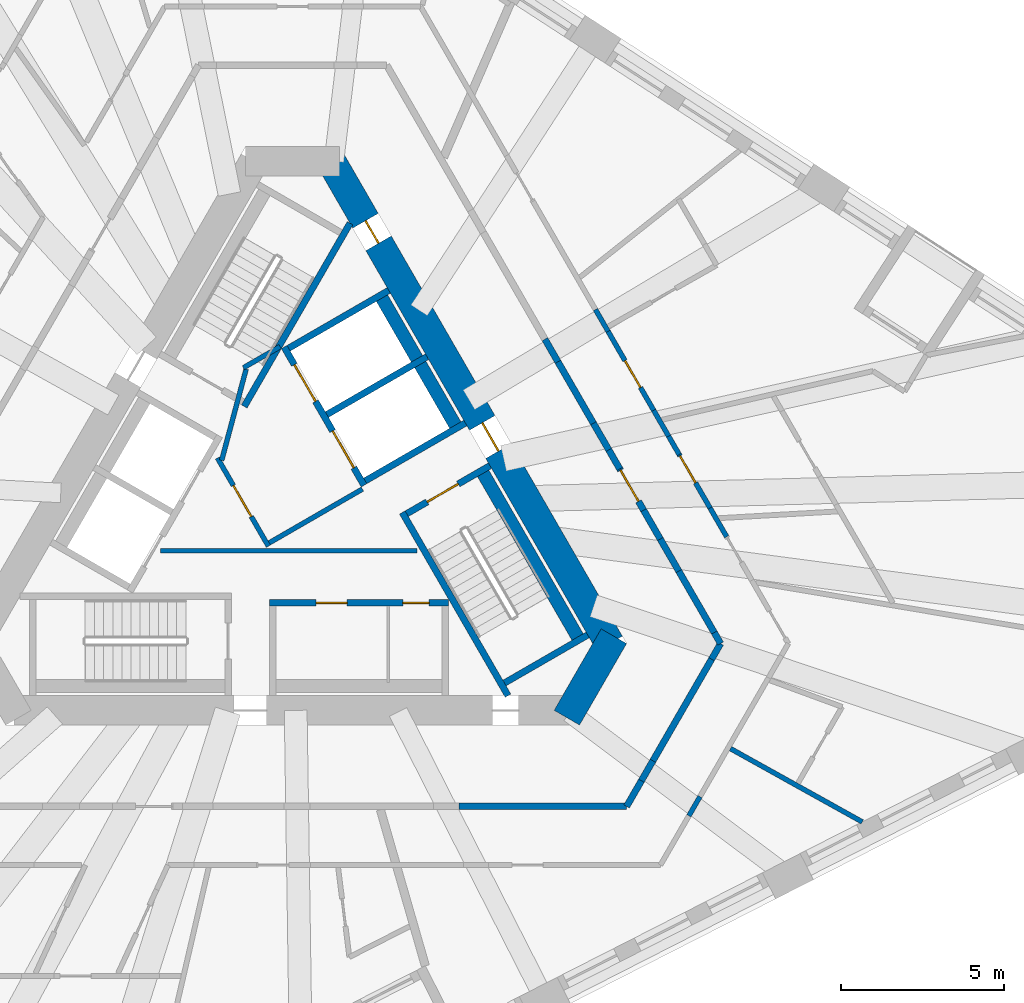
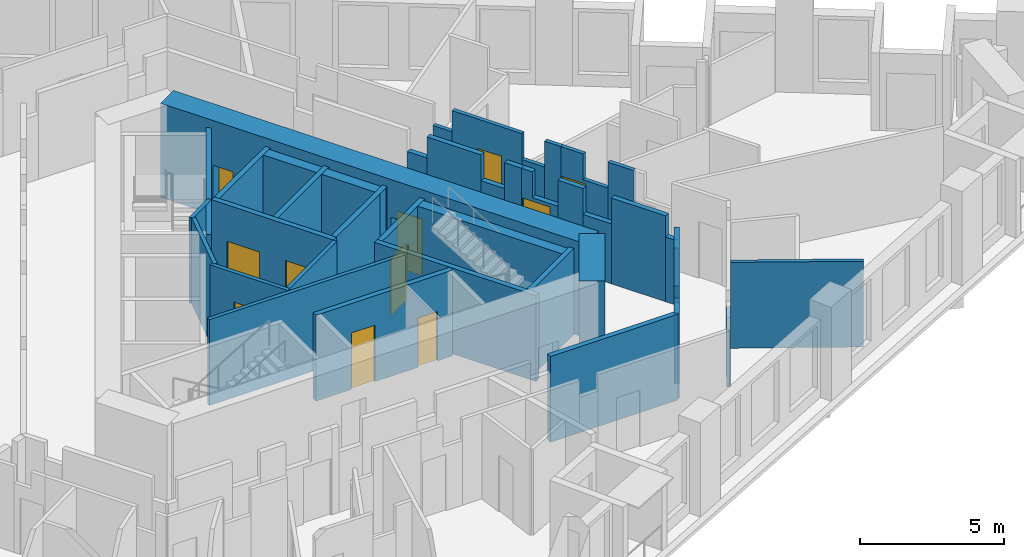
# One storey, part 5 of 13: 40 walls, 11 doors, 11 openings.
"""IFC4 building model written with IfcOpenShell, lengths in metres."""

from ifc_helpers import new_model, si_unit, direction, frame, frame_2d, origin, place, context, subcontext, project, spatial, polyline, rectangle, outline, extrude, material, layer, layer_set, type_object, element, fill, save


model = new_model("IFC4")

# Units and contexts
model_context = context("Model", 3, precision=1e-05, world=origin(), true_north=direction((0.0, 1.0)))
body_context = subcontext(model_context, "Body", "Model", "MODEL_VIEW")
ifc_project = project(units=[si_unit("LENGTHUNIT", "METRE"), si_unit("AREAUNIT", "SQUARE_METRE"), si_unit("VOLUMEUNIT", "CUBIC_METRE"), si_unit("PLANEANGLEUNIT", "RADIAN"), si_unit("MASSUNIT", "GRAM", prefix="KILO")], contexts=[model_context])

# Site, building, storey
site_placement = place(None, origin())
site = spatial("IfcSite", under=ifc_project, at=site_placement, CompositionType="ELEMENT")
building_placement = place(site_placement, origin())
building = spatial("IfcBuilding", under=site, at=building_placement, Name="Tramontana Tower", CompositionType="ELEMENT")
storey_placement = place(building_placement, frame((0.0, 0.0, 137.60009765625)))
storey = spatial("IfcBuildingStorey", under=building, at=storey_placement, Name="L31", CompositionType="ELEMENT", Elevation=137.60009765625)

# Wall
ifc_material_1 = material(Name="Concrete 70 MPa", Category="concrete")
ifc_layer_1 = layer(ifc_material_1, 0.89990234375)
ifc_layer_set_1 = layer_set([ifc_layer_1], Name="Core wall 900 70 MPa")
wall_type_1 = type_object("IfcWallType", Name="Core wall 900 70 MPa", PredefinedType="SHEAR", material=ifc_layer_set_1)
wall_1_placement = place(storey_placement, frame((8.414794921875, -6.52490234375, 0.0), z_axis=(0.0, 0.0, 1.0), x_axis=(0.500059191753, 0.865991226713, 0.0)))
element("IfcWall", 1, at=wall_1_placement, inside=storey, type_object=wall_type_1, Name="Core wall C4 L31", PredefinedType="SHEAR", context=body_context, shape_type="SweptSolid", body=[
    extrude(rectangle(XDim=2.886962890625, YDim=0.89990234375, at=frame_2d((1.443359375, 0.0))), origin(), (0.0, 0.0, 1.0), 4.0),
])

# Wall, openings, doors
wall_2_placement = place(storey_placement, frame((9.728515625, -4.25, 0.0), z_axis=(0.0, 0.0, 1.0), x_axis=(-0.500004814304, 0.866022624227, 0.0)))
wall_2 = element("IfcWall", 2, at=wall_2_placement, inside=storey, type_object=wall_type_1, Name="Core wall C5 L31", PredefinedType="SHEAR", context=body_context, shape_type="SweptSolid", body=[
    extrude(rectangle(XDim=17.089599609375, YDim=0.89990234375, at=frame_2d((8.544921875, 0.0))), origin(), (0.0, 0.0, 1.0), 4.0),
])
opening_1_placement = place(wall_2_placement, frame((6.81982421875, 0.0, 0.0)))
opening_1 = element("IfcOpeningElement", 3, at=opening_1_placement, cuts=wall_2, Name="Opening RG3", PredefinedType="OPENING", context=body_context, shape_type="SweptSolid", body=[
    extrude(rectangle(XDim=1.0, YDim=2.39990234375, at=frame_2d((0.5, 1.199951171875))), frame((0.0, 0.4599609375, 0.0), z_axis=(0.0, -1.0, 0.0), x_axis=(1.0, 0.0, 0.0)), (0.0, 0.0, 1.0), 0.919921875),
])
opening_2_placement = place(wall_2_placement, frame((14.183837890625, 0.0, 0.0)))
opening_2 = element("IfcOpeningElement", 4, at=opening_2_placement, cuts=wall_2, Name="Opening PD3", PredefinedType="OPENING", context=body_context, shape_type="SweptSolid", body=[
    extrude(rectangle(XDim=0.800048828125, YDim=2.10009765625, at=frame_2d((0.39990234375, 1.050048828125))), frame((0.0, 0.4599609375, 0.0), z_axis=(0.0, -1.0, 0.0), x_axis=(1.0, 0.0, 0.0)), (0.0, 0.0, 1.0), 0.919921875),
])
ifc_material_2 = material(Name="Painted steel", Category="steel")
door_type_1 = type_object("IfcDoorType", Name="CUPBOARD DOOR 800", OperationType="SINGLE_SWING_LEFT", PredefinedType="DOOR", material=ifc_material_2)
door_1_placement = place(opening_2_placement, origin())
door_1 = element("IfcDoor", 5, at=door_1_placement, inside=storey, type_object=door_type_1, Name="Door PD3", OperationType="SINGLE_SWING_RIGHT", OverallHeight=2.10009765625, OverallWidth=0.800048828125, PredefinedType="DOOR", context=body_context, shape_type="SweptSolid", body=[
    extrude(rectangle(XDim=0.800048828125, YDim=2.10009765625, at=frame_2d((0.39990234375, 1.050048828125))), frame((0.0, 0.02490234375, 0.0), z_axis=(0.0, -1.0, 0.0), x_axis=(1.0, 0.0, 0.0)), (0.0, 0.0, 1.0), 0.050048828125),
])
fill(opening_2, door_1)
ifc_material_3 = material(Name="Painted steel", Category="steel")
door_type_2 = type_object("IfcDoorType", Name="RING DOOR 1000", OperationType="SINGLE_SWING_LEFT", PredefinedType="DOOR", material=ifc_material_3)
door_2_placement = place(opening_1_placement, origin())
door_2 = element("IfcDoor", 6, at=door_2_placement, inside=storey, type_object=door_type_2, Name="Door RG3", OperationType="SINGLE_SWING_RIGHT", OverallHeight=2.39990234375, OverallWidth=1.0, PredefinedType="DOOR", context=body_context, shape_type="SweptSolid", body=[
    extrude(rectangle(XDim=1.0, YDim=2.39990234375, at=frame_2d((0.5, 1.199951171875))), frame((0.0, 0.02490234375, 0.0), z_axis=(0.0, -1.0, 0.0), x_axis=(1.0, 0.0, 0.0)), (0.0, 0.0, 1.0), 0.050048828125),
])
fill(opening_1, door_2)

# Walls
ifc_material_4 = material(Name="Blockwork", Category="masonry")
ifc_layer_2 = layer(ifc_material_4, 0.199951171875)
ifc_layer_set_2 = layer_set([ifc_layer_2], Name="ENTRY WALL 200")
wall_type_2 = type_object("IfcWallType", Name="ENTRY WALL 200", PredefinedType="SOLIDWALL", material=ifc_layer_set_2)
wall_3_placement = place(storey_placement, frame((7.7421875, 5.090087890625, 0.0), z_axis=(0.0, 0.0, 1.0), x_axis=(0.500109828528, -0.865961984968, 0.0)))
element("IfcWall", 7, at=wall_3_placement, inside=storey, type_object=wall_type_2, Name="Wall v31-ew0-3", PredefinedType="SOLIDWALL", context=body_context, shape_type="SweptSolid", body=[
    extrude(rectangle(XDim=0.800048828125, YDim=0.199951171875, at=frame_2d((0.39990234375, 0.0))), origin(), (0.0, 0.0, 1.0), 2.75),
])
wall_4_placement = place(storey_placement, frame((8.142333984375, 4.397216796875, 0.0), z_axis=(0.0, 0.0, 1.0), x_axis=(0.499948868167, -0.866054922749, 0.0)))
element("IfcWall", 8, at=wall_4_placement, inside=storey, type_object=wall_type_2, Name="Wall v31-ew0-4", PredefinedType="SOLIDWALL", context=body_context, shape_type="SweptSolid", body=[
    extrude(rectangle(XDim=2.177978515625, YDim=0.199951171875, at=frame_2d((1.0888671875, 0.0))), origin(), (0.0, 0.0, 1.0), 3.64990234375),
])
wall_5_placement = place(storey_placement, frame((9.231201171875, 2.510986328125, 0.0), z_axis=(0.0, 0.0, 1.0), x_axis=(0.500118100521, -0.865957207679, 0.0)))
element("IfcWall", 9, at=wall_5_placement, inside=storey, type_object=wall_type_2, Name="Wall v31-ew0-5", PredefinedType="SOLIDWALL", context=body_context, shape_type="SweptSolid", body=[
    extrude(rectangle(XDim=0.943603515625, YDim=0.199951171875, at=frame_2d((0.4716796875, 0.0))), origin(), (0.0, 0.0, 1.0), 2.5498046875),
])
wall_6_placement = place(storey_placement, frame((9.703125, 1.69384765625, 0.0), z_axis=(0.0, 0.0, 1.0), x_axis=(0.499764284991, -0.866161451144, 0.0)))
element("IfcWall", 10, at=wall_6_placement, inside=storey, type_object=wall_type_2, Name="Wall v31-ew0-6", PredefinedType="SOLIDWALL", context=body_context, shape_type="SweptSolid", body=[
    extrude(rectangle(XDim=0.673583984375, YDim=0.199951171875, at=frame_2d((0.3369140625, 0.0))), origin(), (0.0, 0.0, 1.0), 3.64990234375),
])

# Wall, opening, door
wall_7_placement = place(storey_placement, frame((10.039794921875, 1.1103515625, 0.0), z_axis=(0.0, 0.0, 1.0), x_axis=(0.499977492351, -0.866038398192, 0.0)))
wall_7 = element("IfcWall", 11, at=wall_7_placement, inside=storey, type_object=wall_type_2, Name="Wall v31-ew0-7", PredefinedType="SOLIDWALL", context=body_context, shape_type="SweptSolid", body=[
    extrude(outline(polyline([(0.0, 0.0), (1.4638671875, 0.0), (1.4638671875, 2.5498046875), (0.4404296875, 2.5498046875), (0.4404296875, 3.64990234375), (0.0, 3.64990234375), (0.0, 0.0)])), frame((0.0, 0.10009765625, 0.0), z_axis=(0.0, -1.0, 0.0), x_axis=(1.0, 0.0, 0.0)), (0.0, 0.0, 1.0), 0.199951171875),
])
opening_3_placement = place(wall_7_placement, frame((0.050048828125, 0.0, 0.0)))
opening_3 = element("IfcOpeningElement", 12, at=opening_3_placement, cuts=wall_7, Name="Opening B3B-28", PredefinedType="OPENING", context=body_context, shape_type="SweptSolid", body=[
    extrude(rectangle(XDim=1.10009765625, YDim=2.39990234375, at=frame_2d((0.550048828125, 1.199951171875))), frame((0.0, 0.10986328125, 0.0), z_axis=(0.0, -1.0, 0.0), x_axis=(1.0, 0.0, 0.0)), (0.0, 0.0, 1.0), 0.219970703125),
])
ifc_material_5 = material(Name="Painted timber", Category="wood")
door_type_3 = type_object("IfcDoorType", Name="DOOR ENTRY 1100", OperationType="SINGLE_SWING_LEFT", PredefinedType="DOOR", material=ifc_material_5)
door_3_placement = place(opening_3_placement, origin())
door_3 = element("IfcDoor", 13, at=door_3_placement, inside=storey, type_object=door_type_3, Name="Door B3B-28", OperationType="SINGLE_SWING_RIGHT", OverallHeight=2.39990234375, OverallWidth=1.10009765625, PredefinedType="DOOR", context=body_context, shape_type="SweptSolid", body=[
    extrude(rectangle(XDim=1.10009765625, YDim=2.39990234375, at=frame_2d((0.550048828125, 1.199951171875))), frame((0.0, 0.02490234375, 0.0), z_axis=(0.0, -1.0, 0.0), x_axis=(1.0, 0.0, 0.0)), (0.0, 0.0, 1.0), 0.050048828125),
])
fill(opening_3, door_3)

# Walls
wall_8_placement = place(storey_placement, frame((10.771728515625, -0.157470703125, 0.0), z_axis=(0.0, 0.0, 1.0), x_axis=(0.500170198676, -0.865927117231, 0.0)))
element("IfcWall", 14, at=wall_8_placement, inside=storey, type_object=wall_type_2, Name="Wall v31-ew0-8", PredefinedType="SOLIDWALL", context=body_context, shape_type="SweptSolid", body=[
    extrude(rectangle(XDim=1.022705078125, YDim=0.199951171875, at=frame_2d((0.51123046875, 0.0))), origin(), (0.0, 0.0, 1.0), 3.64990234375),
])
wall_9_placement = place(storey_placement, frame((11.283203125, -1.04296875, 0.0), z_axis=(0.0, 0.0, 1.0), x_axis=(0.500001688065, -0.866024429177, 0.0)))
element("IfcWall", 15, at=wall_9_placement, inside=storey, type_object=wall_type_2, Name="Wall v31-ew0-9", PredefinedType="SOLIDWALL", context=body_context, shape_type="SweptSolid", body=[
    extrude(rectangle(XDim=1.13525390625, YDim=0.199951171875, at=frame_2d((0.567626953125, 0.0))), origin(), (0.0, 0.0, 1.0), 2.5498046875),
])
wall_10_placement = place(storey_placement, frame((11.850830078125, -2.026123046875, 0.0), z_axis=(0.0, 0.0, 1.0), x_axis=(0.50001992892, -0.866013897511, 0.0)))
element("IfcWall", 16, at=wall_10_placement, inside=storey, type_object=wall_type_2, Name="Wall v31-ew0-10", PredefinedType="SOLIDWALL", context=body_context, shape_type="SweptSolid", body=[
    extrude(rectangle(XDim=2.1787109375, YDim=0.199951171875, at=frame_2d((1.08935546875, 0.0))), origin(), (0.0, 0.0, 1.0), 3.64990234375),
])
wall_11_placement = place(storey_placement, frame((12.940185546875, -3.912841796875, 0.0), z_axis=(0.0, 0.0, 1.0), x_axis=(0.499849133735, -0.866112488944, 0.0)))
element("IfcWall", 17, at=wall_11_placement, inside=storey, type_object=wall_type_2, Name="Wall v31-ew0-11", PredefinedType="SOLIDWALL", context=body_context, shape_type="SweptSolid", body=[
    extrude(rectangle(XDim=0.38916015625, YDim=0.199951171875, at=frame_2d((0.194580078125, 0.0))), origin(), (0.0, 0.0, 1.0), 2.75),
])
wall_12_placement = place(storey_placement, frame((13.134765625, -4.25, 0.0), z_axis=(0.0, 0.0, 1.0), x_axis=(-0.499887958344, -0.866090081402, 0.0)))
element("IfcWall", 18, at=wall_12_placement, inside=storey, type_object=wall_type_2, Name="Wall v31-ew1-0", PredefinedType="SOLIDWALL", context=body_context, shape_type="SweptSolid", body=[
    extrude(rectangle(XDim=0.553466796875, YDim=0.199951171875, at=frame_2d((0.27685546875, 0.0))), origin(), (0.0, 0.0, 1.0), 2.75),
])
wall_13_placement = place(storey_placement, frame((12.858154296875, -4.729248046875, 0.0), z_axis=(0.0, 0.0, 1.0), x_axis=(-0.500031425827, -0.866007259314, 0.0)))
element("IfcWall", 19, at=wall_13_placement, inside=storey, type_object=wall_type_2, Name="Wall v31-ew1-1", PredefinedType="SOLIDWALL", context=body_context, shape_type="SweptSolid", body=[
    extrude(rectangle(XDim=3.602294921875, YDim=0.199951171875, at=frame_2d((1.80126953125, 0.0))), origin(), (0.0, 0.0, 1.0), 3.64990234375),
])
wall_14_placement = place(storey_placement, frame((11.056884765625, -7.848876953125, 0.0), z_axis=(0.0, 0.0, 1.0), x_axis=(-0.500012199891, -0.86601836006, 0.0)))
element("IfcWall", 20, at=wall_14_placement, inside=storey, type_object=wall_type_2, Name="Wall v31-ew1-2", PredefinedType="SOLIDWALL", context=body_context, shape_type="SweptSolid", body=[
    extrude(rectangle(XDim=0.705078125, YDim=0.199951171875, at=frame_2d((0.3525390625, 0.0))), origin(), (0.0, 0.0, 1.0), 2.949951171875),
])
wall_15_placement = place(storey_placement, frame((10.704345703125, -8.45947265625, 0.0), z_axis=(0.0, 0.0, 1.0), x_axis=(-0.499907684424, -0.866078695647, 0.0)))
element("IfcWall", 21, at=wall_15_placement, inside=storey, type_object=wall_type_2, Name="Wall v31-ew1-3", PredefinedType="SOLIDWALL", context=body_context, shape_type="SweptSolid", body=[
    extrude(rectangle(XDim=0.912841796875, YDim=0.199951171875, at=frame_2d((0.45654296875, 0.0))), origin(), (0.0, 0.0, 1.0), 3.64990234375),
])
wall_16_placement = place(storey_placement, frame((10.248046875, -9.25, 0.0), z_axis=(0.0, 0.0, 1.0), x_axis=(-1.0, 0.0, 0.0)))
element("IfcWall", 22, at=wall_16_placement, inside=storey, type_object=wall_type_2, Name="Wall v31-ew2-0", PredefinedType="SOLIDWALL", context=body_context, shape_type="SweptSolid", body=[
    extrude(rectangle(XDim=5.14208984375, YDim=0.199951171875, at=frame_2d((2.571044921875, 0.0))), origin(), (0.0, 0.0, 1.0), 3.64990234375),
])

# Wall, opening, door
ifc_material_6 = material(Name="Gypsum board partition")
ifc_layer_3 = layer(ifc_material_6, 0.14990234375)
ifc_layer_set_3 = layer_set([ifc_layer_3], Name="PARTITION 150")
wall_type_3 = type_object("IfcWallType", Name="PARTITION 150", PredefinedType="PARTITIONING", material=ifc_layer_set_3)
wall_17_placement = place(storey_placement, frame((-0.744140625, -1.260986328125, 0.0), z_axis=(0.0, 0.0, 1.0), x_axis=(-0.500004234368, 0.866022959057, 0.0)))
wall_17 = element("IfcWall", 23, at=wall_17_placement, inside=storey, type_object=wall_type_3, Name="Wall ff-front", PredefinedType="PARTITIONING", context=body_context, shape_type="SweptSolid", body=[
    extrude(rectangle(XDim=3.125, YDim=0.14990234375, at=frame_2d((1.5625, 0.0))), origin(), (0.0, 0.0, 1.0), 3.64990234375),
])
opening_4_placement = place(wall_17_placement, frame((1.050048828125, 0.0, 0.0)))
opening_4 = element("IfcOpeningElement", 24, at=opening_4_placement, cuts=wall_17, Name="Opening FD1", PredefinedType="OPENING", context=body_context, shape_type="SweptSolid", body=[
    extrude(rectangle(XDim=1.10009765625, YDim=2.39990234375, at=frame_2d((0.550048828125, 1.199951171875))), frame((0.0, 0.0849609375, 0.0), z_axis=(0.0, -1.0, 0.0), x_axis=(1.0, 0.0, 0.0)), (0.0, 0.0, 1.0), 0.169921875),
])
door_4_placement = place(opening_4_placement, origin())
door_4 = element("IfcDoor", 25, at=door_4_placement, inside=storey, type_object=door_type_3, Name="Door FD1", OperationType="SINGLE_SWING_LEFT", OverallHeight=2.39990234375, OverallWidth=1.10009765625, PredefinedType="DOOR", context=body_context, shape_type="SweptSolid", body=[
    extrude(rectangle(XDim=1.10009765625, YDim=2.39990234375, at=frame_2d((0.550048828125, 1.199951171875))), frame((0.0, 0.02490234375, 0.0), z_axis=(0.0, -1.0, 0.0), x_axis=(1.0, 0.0, 0.0)), (0.0, 0.0, 1.0), 0.050048828125),
])
fill(opening_4, door_4)

# Walls
wall_18_placement = place(storey_placement, frame((-0.716796875, -1.15869140625, 0.0), z_axis=(0.0, 0.0, 1.0), x_axis=(0.866008176907, 0.50002983664, 0.0)))
element("IfcWall", 26, at=wall_18_placement, inside=storey, type_object=wall_type_3, Name="Wall ff-end0", PredefinedType="PARTITIONING", context=body_context, shape_type="SweptSolid", body=[
    extrude(rectangle(XDim=3.300048828125, YDim=0.14990234375, at=frame_2d((1.64990234375, 0.0))), origin(), (0.0, 0.0, 1.0), 3.64990234375),
])
wall_19_placement = place(storey_placement, frame((-2.177978515625, 1.372314453125, 0.0), z_axis=(0.0, 0.0, 1.0), x_axis=(0.258808958833, 0.96592852884, 0.0)))
element("IfcWall", 27, at=wall_19_placement, inside=storey, type_object=wall_type_3, Name="Wall ff-diag", PredefinedType="PARTITIONING", context=body_context, shape_type="SweptSolid", body=[
    extrude(rectangle(XDim=2.902587890625, YDim=0.14990234375, at=frame_2d((1.451171875, 0.0))), origin(), (0.0, 0.0, 1.0), 3.64990234375),
])
wall_20_placement = place(storey_placement, frame((-1.509765625, 4.21484375, 0.0), z_axis=(0.0, 0.0, 1.0), x_axis=(0.866085525409, 0.49989585183, 0.0)))
element("IfcWall", 28, at=wall_20_placement, inside=storey, type_object=wall_type_3, Name="Wall ff-end1", PredefinedType="PARTITIONING", context=body_context, shape_type="SweptSolid", body=[
    extrude(rectangle(XDim=1.300048828125, YDim=0.14990234375, at=frame_2d((0.64990234375, 0.0))), origin(), (0.0, 0.0, 1.0), 3.64990234375),
])
wall_21_placement = place(storey_placement, frame((-4.053466796875, -1.39990234375, 0.0), z_axis=(0.0, 0.0, 1.0), x_axis=(1.0, 0.0, 0.0)))
element("IfcWall", 29, at=wall_21_placement, inside=storey, type_object=wall_type_3, Name="Wall hub-cut1", PredefinedType="PARTITIONING", context=body_context, shape_type="SweptSolid", body=[
    extrude(rectangle(XDim=7.8759765625, YDim=0.14990234375, at=frame_2d((3.93798828125, 0.0))), origin(), (0.0, 0.0, 1.0), 3.64990234375),
])
wall_22_placement = place(storey_placement, frame((9.2939453125, 6.00244140625, 0.0), z_axis=(0.0, 0.0, 1.0), x_axis=(0.499831512295, -0.866122658356, 0.0)))
element("IfcWall", 30, at=wall_22_placement, inside=storey, type_object=wall_type_3, Name="Wall v31-pw29-3", PredefinedType="PARTITIONING", context=body_context, shape_type="SweptSolid", body=[
    extrude(rectangle(XDim=0.775146484375, YDim=0.14990234375, at=frame_2d((0.3876953125, 0.0))), origin(), (0.0, 0.0, 1.0), 2.75),
])

# Wall, opening, door
wall_23_placement = place(storey_placement, frame((9.681396484375, 5.3310546875, 0.0), z_axis=(0.0, 0.0, 1.0), x_axis=(0.500034735108, -0.866005348532, 0.0)))
wall_23 = element("IfcWall", 31, at=wall_23_placement, inside=storey, type_object=wall_type_3, Name="Wall v31-pw29-4", PredefinedType="PARTITIONING", context=body_context, shape_type="SweptSolid", body=[
    extrude(rectangle(XDim=2.797119140625, YDim=0.14990234375, at=frame_2d((1.3984375, 0.0))), origin(), (0.0, 0.0, 1.0), 3.64990234375),
])
opening_5_placement = place(wall_23_placement, frame((1.038330078125, 0.0, 0.0)))
opening_5 = element("IfcOpeningElement", 32, at=opening_5_placement, cuts=wall_23, Name="Opening B3B-21", PredefinedType="OPENING", context=body_context, shape_type="SweptSolid", body=[
    extrude(rectangle(XDim=0.949951171875, YDim=2.39990234375, at=frame_2d((0.47509765625, 1.199951171875))), frame((0.0, 0.0849609375, 0.0), z_axis=(0.0, -1.0, 0.0), x_axis=(1.0, 0.0, 0.0)), (0.0, 0.0, 1.0), 0.169921875),
])
ifc_material_7 = material(Name="Painted timber", Category="wood")
door_type_4 = type_object("IfcDoorType", Name="DOOR ROOM 950", OperationType="SINGLE_SWING_LEFT", PredefinedType="DOOR", material=ifc_material_7)
door_5_placement = place(opening_5_placement, origin())
door_5 = element("IfcDoor", 33, at=door_5_placement, inside=storey, type_object=door_type_4, Name="Door B3B-21", OperationType="SINGLE_SWING_LEFT", OverallHeight=2.39990234375, OverallWidth=0.949951171875, PredefinedType="DOOR", context=body_context, shape_type="SweptSolid", body=[
    extrude(rectangle(XDim=0.949951171875, YDim=2.39990234375, at=frame_2d((0.47509765625, 1.199951171875))), frame((0.0, 0.02490234375, 0.0), z_axis=(0.0, -1.0, 0.0), x_axis=(1.0, 0.0, 0.0)), (0.0, 0.0, 1.0), 0.050048828125),
])
fill(opening_5, door_5)

# Walls
wall_24_placement = place(storey_placement, frame((11.080078125, 2.90869140625, 0.0), z_axis=(0.0, 0.0, 1.0), x_axis=(0.500060322201, -0.865990573944, 0.0)))
element("IfcWall", 34, at=wall_24_placement, inside=storey, type_object=wall_type_3, Name="Wall v31-pw29-5", PredefinedType="PARTITIONING", context=body_context, shape_type="SweptSolid", body=[
    extrude(rectangle(XDim=0.91748046875, YDim=0.14990234375, at=frame_2d((0.458740234375, 0.0))), origin(), (0.0, 0.0, 1.0), 2.5498046875),
])
wall_25_placement = place(storey_placement, frame((11.538818359375, 2.1142578125, 0.0), z_axis=(0.0, 0.0, 1.0), x_axis=(0.499852395195, -0.866110606688, 0.0)))
element("IfcWall", 35, at=wall_25_placement, inside=storey, type_object=wall_type_3, Name="Wall v31-pw29-6", PredefinedType="PARTITIONING", context=body_context, shape_type="SweptSolid", body=[
    extrude(rectangle(XDim=0.650634765625, YDim=0.14990234375, at=frame_2d((0.3251953125, 0.0))), origin(), (0.0, 0.0, 1.0), 3.64990234375),
])

# Wall, opening, door
wall_26_placement = place(storey_placement, frame((11.864013671875, 1.55078125, 0.0), z_axis=(0.0, 0.0, 1.0), x_axis=(0.500034891006, -0.866005258515, 0.0)))
wall_26 = element("IfcWall", 36, at=wall_26_placement, inside=storey, type_object=wall_type_3, Name="Wall v31-pw29-7", PredefinedType="PARTITIONING", context=body_context, shape_type="SweptSolid", body=[
    extrude(outline(polyline([(0.0, 0.0), (1.893798828125, 0.0), (1.89404296875, 2.5498046875), (0.89892578125, 2.5498046875), (0.89892578125, 3.64990234375), (0.0, 3.64990234375), (0.0, 0.0)])), frame((0.0, 0.074951171875, 0.0), z_axis=(0.0, -1.0, 0.0), x_axis=(1.0, 0.0, 0.0)), (0.0, 0.0, 1.0), 0.14990234375),
])
opening_6_placement = place(wall_26_placement, frame((0.050048828125, 0.0, 0.0)))
opening_6 = element("IfcOpeningElement", 37, at=opening_6_placement, cuts=wall_26, Name="Opening B3B-17", PredefinedType="OPENING", context=body_context, shape_type="SweptSolid", body=[
    extrude(rectangle(XDim=0.949951171875, YDim=2.39990234375, at=frame_2d((0.47509765625, 1.199951171875))), frame((0.0, 0.0849609375, 0.0), z_axis=(0.0, -1.0, 0.0), x_axis=(1.0, 0.0, 0.0)), (0.0, 0.0, 1.0), 0.169921875),
])
door_6_placement = place(opening_6_placement, origin())
door_6 = element("IfcDoor", 38, at=door_6_placement, inside=storey, type_object=door_type_4, Name="Door B3B-17", OperationType="SINGLE_SWING_LEFT", OverallHeight=2.39990234375, OverallWidth=0.949951171875, PredefinedType="DOOR", context=body_context, shape_type="SweptSolid", body=[
    extrude(rectangle(XDim=0.949951171875, YDim=2.39990234375, at=frame_2d((0.47509765625, 1.199951171875))), frame((0.0, 0.02490234375, 0.0), z_axis=(0.0, -1.0, 0.0), x_axis=(1.0, 0.0, 0.0)), (0.0, 0.0, 1.0), 0.050048828125),
])
fill(opening_6, door_6)

# Walls
wall_27_placement = place(storey_placement, frame((12.81103515625, -0.08935546875, 0.0), z_axis=(0.0, 0.0, 1.0), x_axis=(0.500018862428, -0.866014513283, 0.0)))
element("IfcWall", 39, at=wall_27_placement, inside=storey, type_object=wall_type_3, Name="Wall v31-pw29-8", PredefinedType="PARTITIONING", context=body_context, shape_type="SweptSolid", body=[
    extrude(rectangle(XDim=1.02197265625, YDim=0.14990234375, at=frame_2d((0.510986328125, 0.0))), origin(), (0.0, 0.0, 1.0), 3.64990234375),
])
wall_28_placement = place(storey_placement, frame((12.501220703125, -8.947021484375, 0.0), z_axis=(0.0, 0.0, 1.0), x_axis=(-0.499846793097, -0.866113839764, 0.0)))
element("IfcWall", 40, at=wall_28_placement, inside=storey, type_object=wall_type_3, Name="Wall v31-pw40-3", PredefinedType="PARTITIONING", context=body_context, shape_type="SweptSolid", body=[
    extrude(rectangle(XDim=0.679931640625, YDim=0.14990234375, at=frame_2d((0.33984375, 0.0))), origin(), (0.0, 0.0, 1.0), 2.949951171875),
])
wall_29_placement = place(storey_placement, frame((17.481689453125, -9.72314453125, 0.0), z_axis=(0.0, 0.0, 1.0), x_axis=(-0.873935661158, 0.486041623893, 0.0)))
element("IfcWall", 41, at=wall_29_placement, inside=storey, type_object=wall_type_3, Name="Wall v31-pw43", PredefinedType="PARTITIONING", context=body_context, shape_type="SweptSolid", body=[
    extrude(rectangle(XDim=4.626708984375, YDim=0.14990234375, at=frame_2d((2.3134765625, 0.0))), origin(), (0.0, 0.0, 1.0), 3.64990234375),
])
ifc_material_8 = material(Name="Concrete 70 MPa", Category="concrete")
ifc_layer_4 = layer(ifc_material_8, 0.39990234375)
ifc_layer_set_4 = layer_set([ifc_layer_4], Name="Concrete 70 MPa, 400 mm")
wall_type_4 = type_object("IfcWallType", Name="RC SHAFT BACK WALL 400", PredefinedType="SOLIDWALL", material=ifc_layer_set_4)
wall_30_placement = place(storey_placement, frame((8.846435546875, -4.222412109375, 0.0), z_axis=(0.0, 0.0, 1.0), x_axis=(-0.500009909098, 0.866019682689, 0.0)))
element("IfcWall", 42, at=wall_30_placement, inside=storey, type_object=wall_type_4, Name="Wall st3-back", PredefinedType="SOLIDWALL", context=body_context, shape_type="SweptSolid", body=[
    extrude(rectangle(XDim=6.199951171875, YDim=0.39990234375, at=frame_2d((3.10009765625, 0.0))), origin(), (0.0, 0.0, 1.0), 3.64990234375),
])
wall_31_placement = place(storey_placement, frame((5.091552734375, 2.28125, 0.0), z_axis=(0.0, 0.0, 1.0), x_axis=(-0.500018594424, 0.866014668023, 0.0)))
element("IfcWall", 43, at=wall_31_placement, inside=storey, type_object=wall_type_4, Name="Wall row2-back", PredefinedType="SOLIDWALL", context=body_context, shape_type="SweptSolid", body=[
    extrude(rectangle(XDim=4.900146484375, YDim=0.39990234375, at=frame_2d((2.4501953125, 0.0))), origin(), (0.0, 0.0, 1.0), 3.64990234375),
])
ifc_material_9 = material(Name="Concrete 70 MPa", Category="concrete")
ifc_layer_5 = layer(ifc_material_9, 0.199951171875)
ifc_layer_set_5 = layer_set([ifc_layer_5], Name="Concrete 70 MPa, 200 mm")
wall_type_5 = type_object("IfcWallType", Name="RC STAIR AND SHAFT WALL 200", PredefinedType="SOLIDWALL", material=ifc_layer_set_5)
wall_32_placement = place(storey_placement, frame((1.760986328125, 8.64990234375, 0.0), z_axis=(0.0, 0.0, 1.0), x_axis=(-0.500010023241, -0.866019616786, 0.0)))
element("IfcWall", 44, at=wall_32_placement, inside=storey, type_object=wall_type_5, Name="Wall st1-front", PredefinedType="SOLIDWALL", context=body_context, shape_type="SweptSolid", body=[
    extrude(rectangle(XDim=6.491455078125, YDim=0.199951171875, at=frame_2d((3.24560546875, 0.0))), origin(), (0.0, 0.0, 1.0), 3.64990234375),
])
wall_33_placement = place(storey_placement, frame((6.610595703125, -5.85009765625, 0.0), z_axis=(0.0, 0.0, 1.0), x_axis=(-0.499965531574, 0.866045303225, 0.0)))
element("IfcWall", 45, at=wall_33_placement, inside=storey, type_object=wall_type_5, Name="Wall st3-front", PredefinedType="SOLIDWALL", context=body_context, shape_type="SweptSolid", body=[
    extrude(rectangle(XDim=6.49169921875, YDim=0.199951171875, at=frame_2d((3.245849609375, 0.0))), origin(), (0.0, 0.0, 1.0), 3.64990234375),
])
wall_34_placement = place(storey_placement, frame((6.50146484375, -5.4609375, 0.0), z_axis=(0.0, 0.0, 1.0), x_axis=(0.866003658127, 0.500037662692, 0.0)))
element("IfcWall", 46, at=wall_34_placement, inside=storey, type_object=wall_type_5, Name="Wall st3-far", PredefinedType="SOLIDWALL", context=body_context, shape_type="SweptSolid", body=[
    extrude(rectangle(XDim=2.949951171875, YDim=0.199951171875, at=frame_2d((1.47509765625, 0.0))), origin(), (0.0, 0.0, 1.0), 3.64990234375),
])

# Wall, opening, door
wall_35_placement = place(storey_placement, frame((3.50146484375, -0.2646484375, 0.0), z_axis=(0.0, 0.0, 1.0), x_axis=(0.866039495442, 0.49997559174, 0.0)))
wall_35 = element("IfcWall", 47, at=wall_35_placement, inside=storey, type_object=wall_type_5, Name="Wall st3-near", PredefinedType="SOLIDWALL", context=body_context, shape_type="SweptSolid", body=[
    extrude(rectangle(XDim=2.949951171875, YDim=0.199951171875, at=frame_2d((1.47509765625, 0.0))), origin(), (0.0, 0.0, 1.0), 3.64990234375),
])
opening_7_placement = place(wall_35_placement, frame((0.72509765625, 0.0, 0.0)))
opening_7 = element("IfcOpeningElement", 48, at=opening_7_placement, cuts=wall_35, Name="Opening SD3", PredefinedType="OPENING", context=body_context, shape_type="SweptSolid", body=[
    extrude(rectangle(XDim=1.10009765625, YDim=2.39990234375, at=frame_2d((0.550048828125, 1.199951171875))), frame((0.0, 0.10986328125, 0.0), z_axis=(0.0, -1.0, 0.0), x_axis=(1.0, 0.0, 0.0)), (0.0, 0.0, 1.0), 0.219970703125),
])
ifc_material_10 = material(Name="Painted steel", Category="steel")
door_type_5 = type_object("IfcDoorType", Name="STAIR DOOR 1100", OperationType="SINGLE_SWING_LEFT", PredefinedType="DOOR", material=ifc_material_10)
door_7_placement = place(opening_7_placement, origin())
door_7 = element("IfcDoor", 49, at=door_7_placement, inside=storey, type_object=door_type_5, Name="Door SD3", OperationType="SINGLE_SWING_RIGHT", OverallHeight=2.39990234375, OverallWidth=1.10009765625, PredefinedType="DOOR", context=body_context, shape_type="SweptSolid", body=[
    extrude(rectangle(XDim=1.10009765625, YDim=2.39990234375, at=frame_2d((0.550048828125, 1.199951171875))), frame((0.0, 0.02490234375, 0.0), z_axis=(0.0, -1.0, 0.0), x_axis=(1.0, 0.0, 0.0)), (0.0, 0.0, 1.0), 0.050048828125),
])
fill(opening_7, door_7)

# Wall, openings, doors
wall_36_placement = place(storey_placement, frame((4.7900390625, -3.0, 0.0), z_axis=(0.0, 0.0, 1.0), x_axis=(-1.0, 0.0, 0.0)))
wall_36 = element("IfcWall", 50, at=wall_36_placement, inside=storey, type_object=wall_type_5, Name="Wall row1-front", PredefinedType="SOLIDWALL", context=body_context, shape_type="SweptSolid", body=[
    extrude(rectangle(XDim=5.5, YDim=0.199951171875, at=frame_2d((2.75, 0.0))), origin(), (0.0, 0.0, 1.0), 3.64990234375),
])
opening_8_placement = place(wall_36_placement, frame((3.1201171875, 0.0, 0.0)))
opening_8 = element("IfcOpeningElement", 51, at=opening_8_placement, cuts=wall_36, Name="Opening RD-1A", PredefinedType="OPENING", context=body_context, shape_type="SweptSolid", body=[
    extrude(rectangle(XDim=0.949951171875, YDim=2.39990234375, at=frame_2d((0.47509765625, 1.199951171875))), frame((0.0, 0.10986328125, 0.0), z_axis=(0.0, -1.0, 0.0), x_axis=(1.0, 0.0, 0.0)), (0.0, 0.0, 1.0), 0.219970703125),
])
opening_9_placement = place(wall_36_placement, frame((0.60498046875, 0.0, 0.0)))
opening_9 = element("IfcOpeningElement", 52, at=opening_9_placement, cuts=wall_36, Name="Opening RD-1B", PredefinedType="OPENING", context=body_context, shape_type="SweptSolid", body=[
    extrude(rectangle(XDim=0.800048828125, YDim=2.10009765625, at=frame_2d((0.39990234375, 1.050048828125))), frame((0.0, 0.10986328125, 0.0), z_axis=(0.0, -1.0, 0.0), x_axis=(1.0, 0.0, 0.0)), (0.0, 0.0, 1.0), 0.219970703125),
])
door_8_placement = place(opening_9_placement, origin())
door_8 = element("IfcDoor", 53, at=door_8_placement, inside=storey, type_object=door_type_1, Name="Door RD-1B", OperationType="SINGLE_SWING_RIGHT", OverallHeight=2.10009765625, OverallWidth=0.800048828125, PredefinedType="DOOR", context=body_context, shape_type="SweptSolid", body=[
    extrude(rectangle(XDim=0.800048828125, YDim=2.10009765625, at=frame_2d((0.39990234375, 1.050048828125))), frame((0.0, 0.02490234375, 0.0), z_axis=(0.0, -1.0, 0.0), x_axis=(1.0, 0.0, 0.0)), (0.0, 0.0, 1.0), 0.050048828125),
])
fill(opening_9, door_8)
door_9_placement = place(opening_8_placement, origin())
door_9 = element("IfcDoor", 54, at=door_9_placement, inside=storey, type_object=door_type_4, Name="Door RD-1A", OperationType="SINGLE_SWING_LEFT", OverallHeight=2.39990234375, OverallWidth=0.949951171875, PredefinedType="DOOR", context=body_context, shape_type="SweptSolid", body=[
    extrude(rectangle(XDim=0.949951171875, YDim=2.39990234375, at=frame_2d((0.47509765625, 1.199951171875))), frame((0.0, 0.02490234375, 0.0), z_axis=(0.0, -1.0, 0.0), x_axis=(1.0, 0.0, 0.0)), (0.0, 0.0, 1.0), 0.050048828125),
])
fill(opening_8, door_9)

wall_37_placement = place(storey_placement, frame((2.190185546875, 0.6064453125, 0.0), z_axis=(0.0, 0.0, 1.0), x_axis=(-0.500002801628, 0.866023786258, 0.0)))
wall_37 = element("IfcWall", 55, at=wall_37_placement, inside=storey, type_object=wall_type_5, Name="Wall row2-front", PredefinedType="SOLIDWALL", context=body_context, shape_type="SweptSolid", body=[
    extrude(rectangle(XDim=4.89990234375, YDim=0.199951171875, at=frame_2d((2.449951171875, 0.0))), origin(), (0.0, 0.0, 1.0), 3.64990234375),
])
opening_10_placement = place(wall_37_placement, frame((0.625, 0.0, 0.0)))
opening_10 = element("IfcOpeningElement", 56, at=opening_10_placement, cuts=wall_37, Name="Opening LD-F1", PredefinedType="OPENING", context=body_context, shape_type="SweptSolid", body=[
    extrude(rectangle(XDim=1.300048828125, YDim=2.10009765625, at=frame_2d((0.64990234375, 1.050048828125))), frame((0.0, 0.10986328125, 0.0), z_axis=(0.0, -1.0, 0.0), x_axis=(1.0, 0.0, 0.0)), (0.0, 0.0, 1.0), 0.219970703125),
])
opening_11_placement = place(wall_37_placement, frame((2.97509765625, 0.0, 0.0)))
opening_11 = element("IfcOpeningElement", 57, at=opening_11_placement, cuts=wall_37, Name="Opening LD-F2", PredefinedType="OPENING", context=body_context, shape_type="SweptSolid", body=[
    extrude(rectangle(XDim=1.300048828125, YDim=2.10009765625, at=frame_2d((0.64990234375, 1.050048828125))), frame((0.0, 0.10986328125, 0.0), z_axis=(0.0, -1.0, 0.0), x_axis=(1.0, 0.0, 0.0)), (0.0, 0.0, 1.0), 0.219970703125),
])
ifc_material_11 = material(Name="Brushed steel", Category="steel")
door_type_6 = type_object("IfcDoorType", Name="LANDING DOOR 1300", OperationType="SINGLE_SWING_LEFT", PredefinedType="DOOR", material=ifc_material_11)
door_10_placement = place(opening_10_placement, origin())
door_10 = element("IfcDoor", 58, at=door_10_placement, inside=storey, type_object=door_type_6, Name="Door LD-F1", OperationType="SLIDING_TO_LEFT", OverallHeight=2.10009765625, OverallWidth=1.300048828125, PredefinedType="DOOR", context=body_context, shape_type="SweptSolid", body=[
    extrude(rectangle(XDim=1.300048828125, YDim=2.10009765625, at=frame_2d((0.64990234375, 1.050048828125))), frame((0.0, 0.02490234375, 0.0), z_axis=(0.0, -1.0, 0.0), x_axis=(1.0, 0.0, 0.0)), (0.0, 0.0, 1.0), 0.050048828125),
])
fill(opening_10, door_10)
door_11_placement = place(opening_11_placement, origin())
door_11 = element("IfcDoor", 59, at=door_11_placement, inside=storey, type_object=door_type_6, Name="Door LD-F2", OperationType="SLIDING_TO_RIGHT", OverallHeight=2.10009765625, OverallWidth=1.300048828125, PredefinedType="DOOR", context=body_context, shape_type="SweptSolid", body=[
    extrude(rectangle(XDim=1.300048828125, YDim=2.10009765625, at=frame_2d((0.64990234375, 1.050048828125))), frame((0.0, 0.02490234375, 0.0), z_axis=(0.0, -1.0, 0.0), x_axis=(1.0, 0.0, 0.0)), (0.0, 0.0, 1.0), 0.050048828125),
])
fill(opening_11, door_11)

# Walls
for number, where, z_axis, x_axis, name in (
    (60, (2.226806640625, 0.742919921875, 0.0), (0.0, 0.0, 1.0), (0.866012656725, 0.500022077904, 0.0), "Wall row2-side0"),
    (61, (1.0517578125, 2.778076171875, 0.0), (0.0, 0.0, 1.0), (0.866012656725, 0.500022077904, 0.0), "Wall row2-side1"),
):
    element("IfcWall", number, at=place(storey_placement, frame(where, z_axis=z_axis, x_axis=x_axis)), inside=storey, type_object=wall_type_5, Name=name, PredefinedType="SOLIDWALL", context=body_context, shape_type="SweptSolid", body=[
        extrude(rectangle(XDim=3.550048828125, YDim=0.199951171875, at=frame_2d((1.77490234375, 0.0))), origin(), (0.0, 0.0, 1.0), 3.64990234375),
    ])
wall_38_placement = place(storey_placement, frame((-0.123046875, 4.813232421875, 0.0), z_axis=(0.0, 0.0, 1.0), x_axis=(0.865995461329, 0.500051858269, 0.0)))
element("IfcWall", 62, at=wall_38_placement, inside=storey, type_object=wall_type_5, Name="Wall row2-side2", PredefinedType="SOLIDWALL", context=body_context, shape_type="SweptSolid", body=[
    extrude(rectangle(XDim=3.5498046875, YDim=0.199951171875, at=frame_2d((1.77490234375, 0.0))), origin(), (0.0, 0.0, 1.0), 3.64990234375),
])

save(model, "model.ifc")
